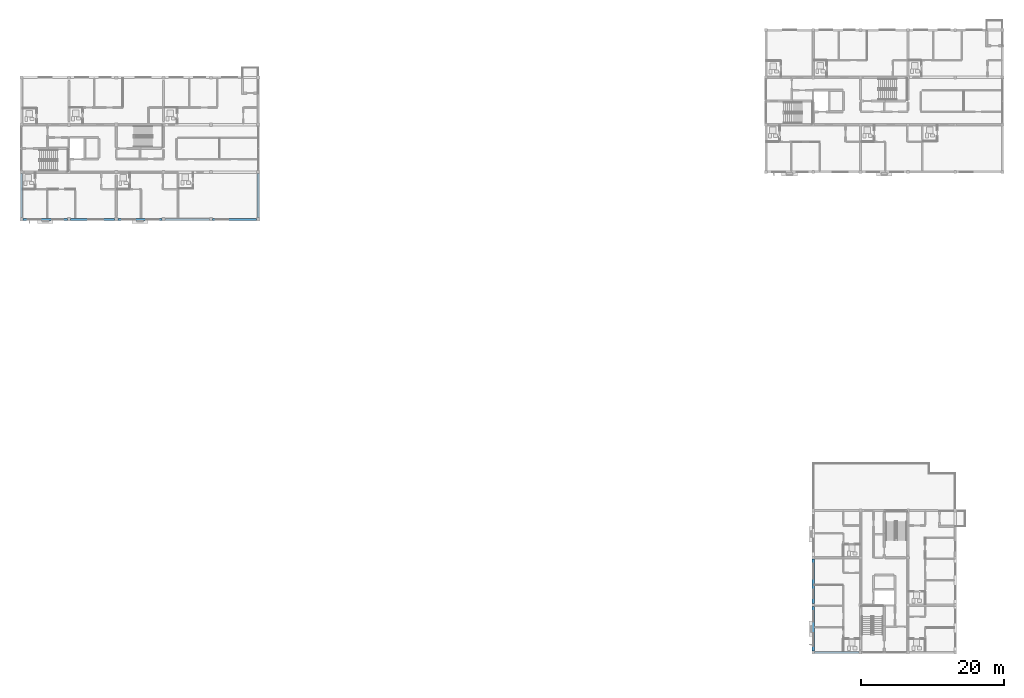
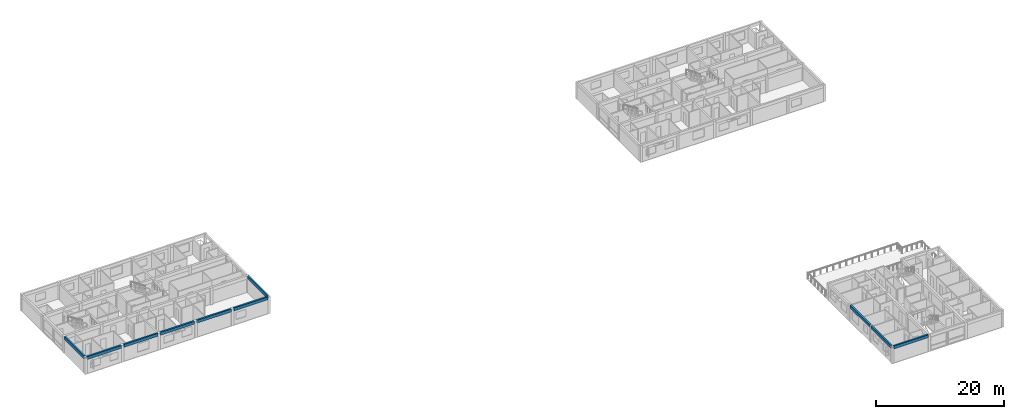
# One storey, part 4 of 37: 10 beams.
"""IFC4 building model written with IfcOpenShell, lengths in metres."""

from ifc_helpers import new_model, si_unit, direction, frame, origin, origin_2d, place, context, subcontext, project, spatial, rectangle, extrude, material, material_profile, profile_set, type_object, element, save


model = new_model("IFC4")

# Units and contexts
model_context = context("Model", 3, precision=1e-05, world=origin(), true_north=direction((0.0, 1.0)))
body_context = subcontext(model_context, "Body", "Model", "MODEL_VIEW")
ifc_project = project(units=[si_unit("LENGTHUNIT", "METRE"), si_unit("AREAUNIT", "SQUARE_METRE"), si_unit("VOLUMEUNIT", "CUBIC_METRE"), si_unit("PLANEANGLEUNIT", "RADIAN"), si_unit("MASSUNIT", "GRAM", prefix="KILO")], contexts=[model_context])

# Site, building, storey
site_placement = place(None, origin())
site = spatial("IfcSite", under=ifc_project, at=site_placement, CompositionType="ELEMENT")
building_placement = place(site_placement, origin())
building = spatial("IfcBuilding", under=site, at=building_placement, Name="Kernevlak Ridge Housing Community", CompositionType="ELEMENT")
storey_placement = place(building_placement, frame((0.0, 0.0, 37.199951171875)))
storey = spatial("IfcBuildingStorey", under=building, at=storey_placement, Name="L11", CompositionType="ELEMENT", Elevation=37.199951171875)

# Beams
ifc_material = material(Name="Concrete C35/45", Category="concrete")
ifc_material_profile = material_profile(ifc_material, rectangle(XDim=0.300048828125, YDim=0.550048828125, at=origin_2d()), Name="RC 300x550")
ifc_profile_set = profile_set([ifc_material_profile], Name="Concrete C35/45")
beam_type = type_object("IfcBeamType", Name="SP-01", PredefinedType="SPANDREL", material=ifc_profile_set)
beam_1_placement = place(storey_placement, frame((15.824951171875, 76.0, 2.925048828125), z_axis=(1.0, 0.0, 0.0), x_axis=(0.0, 1.0, 0.0)))
element("IfcBeam", 1, at=beam_1_placement, inside=storey, type_object=beam_type, Name="Beam SP-01 L11 343", PredefinedType="SPANDREL", context=body_context, shape_type="SweptSolid", body=[
    extrude(rectangle(XDim=0.300048828125, YDim=0.550048828125, at=origin_2d()), origin(), (0.0, 0.0, 1.0), 6.150146484375),
])
beam_2_placement = place(storey_placement, frame((22.425048828125, 76.0, 2.925048828125), z_axis=(1.0, 0.0, 0.0), x_axis=(0.0, 1.0, 0.0)))
element("IfcBeam", 2, at=beam_2_placement, inside=storey, type_object=beam_type, Name="Beam SP-01 L11 344", PredefinedType="SPANDREL", context=body_context, shape_type="SweptSolid", body=[
    extrude(rectangle(XDim=0.300048828125, YDim=0.550048828125, at=origin_2d()), origin(), (0.0, 0.0, 1.0), 6.14990234375),
])
beam_3_placement = place(storey_placement, frame((29.02490234375, 76.0, 2.925048828125), z_axis=(1.0, 0.0, 0.0), x_axis=(0.0, 1.0, 0.0)))
element("IfcBeam", 3, at=beam_3_placement, inside=storey, type_object=beam_type, Name="Beam SP-01 L11 345", PredefinedType="SPANDREL", context=body_context, shape_type="SweptSolid", body=[
    extrude(rectangle(XDim=0.300048828125, YDim=0.550048828125, at=origin_2d()), origin(), (0.0, 0.0, 1.0), 6.150146484375),
])
for number, where, z_axis, x_axis, name in (
    (4, (35.625, 76.0, 2.925048828125), (1.0, 0.0, 0.0), (0.0, 1.0, 0.0), "Beam SP-01 L11 346"),
    (5, (42.22509765625, 76.0, 2.925048828125), (1.0, 0.0, 0.0), (0.0, 1.0, 0.0), "Beam SP-01 L11 347"),
    (6, (15.60009765625, 76.22509765625, 2.925048828125), (0.0, 1.0, 0.0), (-1.0, 0.0, 0.0), "Beam SP-01 L11 363"),
    (7, (48.60009765625, 76.22509765625, 2.925048828125), (0.0, 1.0, 0.0), (-1.0, 0.0, 0.0), "Beam SP-01 L11 366"),
):
    element("IfcBeam", number, at=place(storey_placement, frame(where, z_axis=z_axis, x_axis=x_axis)), inside=storey, type_object=beam_type, Name=name, PredefinedType="SPANDREL", context=body_context, shape_type="SweptSolid", body=[
        extrude(rectangle(XDim=0.300048828125, YDim=0.550048828125, at=origin_2d()), origin(), (0.0, 0.0, 1.0), 6.14990234375),
    ])
beam_4_placement = place(storey_placement, frame((126.0, 15.800048828125, 2.925048828125), z_axis=(0.0, 1.0, 0.0), x_axis=(-1.0, 0.0, 0.0)))
element("IfcBeam", 8, at=beam_4_placement, inside=storey, type_object=beam_type, Name="Beam SP-01 L11 1244", PredefinedType="SPANDREL", context=body_context, shape_type="SweptSolid", body=[
    extrude(rectangle(XDim=0.300048828125, YDim=0.550048828125, at=origin_2d()), origin(), (0.0, 0.0, 1.0), 6.199951171875),
])
beam_5_placement = place(storey_placement, frame((126.0, 22.39990234375, 2.925048828125), z_axis=(0.0, 1.0, 0.0), x_axis=(-1.0, 0.0, 0.0)))
element("IfcBeam", 9, at=beam_5_placement, inside=storey, type_object=beam_type, Name="Beam SP-01 L11 1245", PredefinedType="SPANDREL", context=body_context, shape_type="SweptSolid", body=[
    extrude(rectangle(XDim=0.300048828125, YDim=0.550048828125, at=origin_2d()), origin(), (0.0, 0.0, 1.0), 6.2001953125),
])
beam_6_placement = place(storey_placement, frame((126.199951171875, 15.60009765625, 2.925048828125), z_axis=(1.0, 0.0, 0.0), x_axis=(0.0, 1.0, 0.0)))
element("IfcBeam", 10, at=beam_6_placement, inside=storey, type_object=beam_type, Name="Beam SP-01 L11 1256", PredefinedType="SPANDREL", context=body_context, shape_type="SweptSolid", body=[
    extrude(rectangle(XDim=0.300048828125, YDim=0.550048828125, at=origin_2d()), origin(), (0.0, 0.0, 1.0), 6.199951171875),
])

save(model, "model.ifc")
